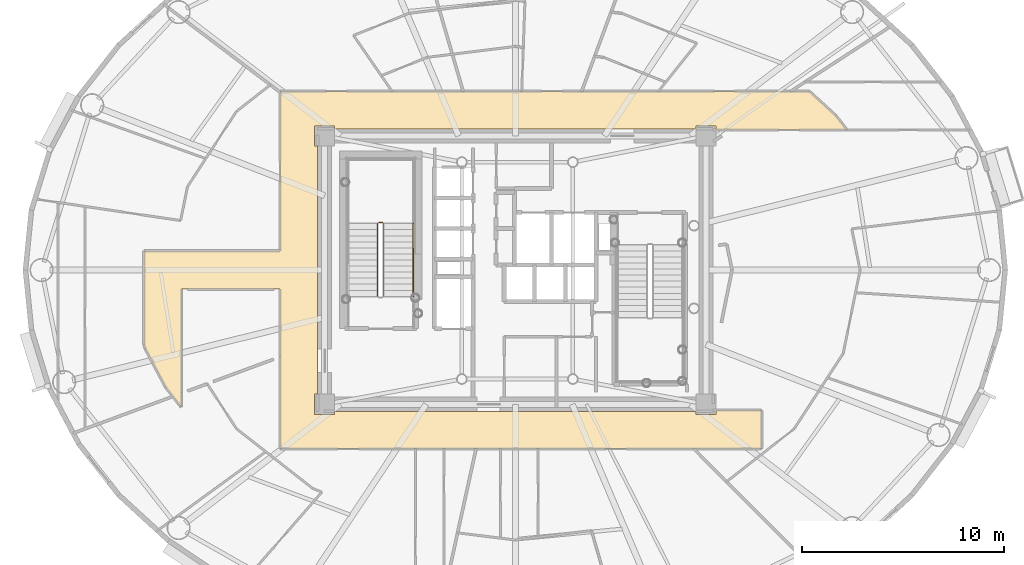
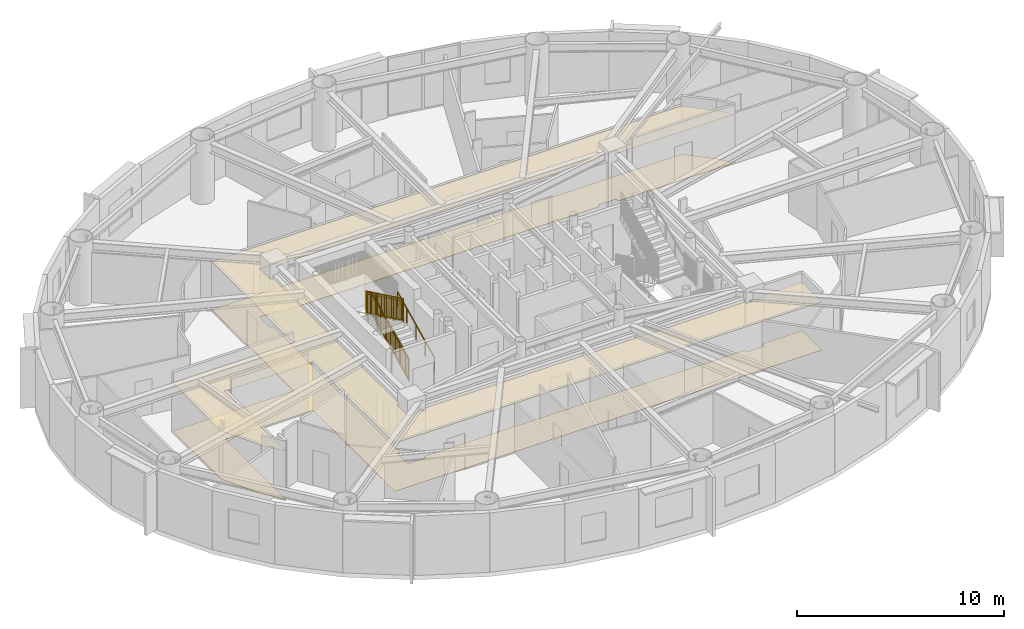
# One storey, part 15 of 20: 4 railings, 2 coverings.
"""IFC4 building model written with IfcOpenShell, lengths in metres."""

from ifc_helpers import new_model, si_unit, direction, frame, origin, origin_2d, place, context, subcontext, project, spatial, polyline, rectangle, outline, extrude, source, transform, mapped, material, layer, layer_set, type_object, element, save


model = new_model("IFC4")

# Units and contexts
model_context = context("Model", 3, precision=1e-05, world=origin(), true_north=direction((0.0, 1.0)))
body_context = subcontext(model_context, "Body", "Model", "MODEL_VIEW")
ifc_project = project(units=[si_unit("LENGTHUNIT", "METRE"), si_unit("AREAUNIT", "SQUARE_METRE"), si_unit("VOLUMEUNIT", "CUBIC_METRE"), si_unit("PLANEANGLEUNIT", "RADIAN"), si_unit("MASSUNIT", "GRAM", prefix="KILO")], contexts=[model_context])

# Site, building, storey
site_placement = place(None, origin())
site = spatial("IfcSite", under=ifc_project, at=site_placement, CompositionType="ELEMENT")
building_placement = place(site_placement, origin())
building = spatial("IfcBuilding", under=site, at=building_placement, Name="Linh Dai School and Residence Tower", CompositionType="ELEMENT")
storey_placement = place(building_placement, frame((0.0, 0.0, 221.550048828125)))
storey = spatial("IfcBuildingStorey", under=building, at=storey_placement, Name="L54", CompositionType="ELEMENT", Elevation=221.550048828125)

# Coverings
ifc_material_1 = material(Name="Mineral Fibre Acoustic Suspended Ceiling", Category="masonry")
ifc_layer_1 = layer(ifc_material_1, 0.02001953125)
ifc_layer_set_1 = layer_set([ifc_layer_1], Name="Mineral Fibre Acoustic Suspended Ceiling")
covering_type_1 = type_object("IfcCoveringType", Name="COV-CEIL-AC-20", PredefinedType="CEILING", material=ifc_layer_set_1)
covering_1_placement = place(storey_placement, frame((0.0, 0.0, 2.849853515625)))
element("IfcCovering", 1, at=covering_1_placement, inside=storey, type_object=covering_type_1, Name="L54 Residential Floor Corridor Suspended Ceiling", PredefinedType="CEILING", context=body_context, shape_type="SweptSolid", body=[
    extrude(outline(polyline([(19.449951171875, 20.211181640625), (18.6806640625, 21.1943359375), (17.66650390625, 23.111083984375), (17.60009765625, 23.327880859375), (17.60009765625, 27.949951171875), (24.35009765625, 27.949951171875), (24.35009765625, 35.85009765625), (50.56787109375, 35.85009765625), (51.873779296875, 34.65283203125), (52.423828125, 33.949951171875), (45.949951171875, 33.949951171875), (45.949951171875, 34.14990234375), (44.949951171875, 34.14990234375), (44.949951171875, 34.0), (27.050048828125, 34.0), (27.050048828125, 34.14990234375), (26.050048828125, 34.14990234375), (26.050048828125, 33.14990234375), (26.199951171875, 33.14990234375), (26.199951171875, 20.85009765625), (26.050048828125, 20.85009765625), (26.050048828125, 19.85009765625), (27.050048828125, 19.85009765625), (27.050048828125, 20.0), (44.949951171875, 20.0), (44.949951171875, 19.85009765625), (45.949951171875, 19.85009765625), (45.949951171875, 20.050048828125), (48.199951171875, 20.050048828125), (48.199951171875, 18.14990234375), (24.35009765625, 18.14990234375), (24.35009765625, 26.050048828125), (19.449951171875, 26.050048828125), (19.449951171875, 20.211181640625)])), origin(), (0.0, 0.0, 1.0), 0.02001953125),
])
ifc_material_2 = material(Name="Polished Terrazzo Floor Finish", Category="masonry")
ifc_layer_2 = layer(ifc_material_2, 0.02490234375)
ifc_layer_set_2 = layer_set([ifc_layer_2], Name="Polished Terrazzo Floor Finish")
covering_type_2 = type_object("IfcCoveringType", Name="COV-FLR-TRZ-25", PredefinedType="FLOORING", material=ifc_layer_set_2)
covering_2_placement = place(storey_placement, origin())
element("IfcCovering", 2, at=covering_2_placement, inside=storey, type_object=covering_type_2, Name="L54 Residential Floor Corridor Floor Finish", PredefinedType="FLOORING", context=body_context, shape_type="SweptSolid", body=[
    extrude(outline(polyline([(19.449951171875, 20.211181640625), (18.6806640625, 21.1943359375), (17.66650390625, 23.111083984375), (17.60009765625, 23.327880859375), (17.60009765625, 27.949951171875), (24.35009765625, 27.949951171875), (24.35009765625, 35.85009765625), (50.56787109375, 35.85009765625), (51.873779296875, 34.65283203125), (52.423828125, 33.949951171875), (45.949951171875, 33.949951171875), (45.949951171875, 34.14990234375), (44.949951171875, 34.14990234375), (44.949951171875, 34.0), (27.050048828125, 34.0), (27.050048828125, 34.14990234375), (26.050048828125, 34.14990234375), (26.050048828125, 33.14990234375), (26.199951171875, 33.14990234375), (26.199951171875, 20.85009765625), (26.050048828125, 20.85009765625), (26.050048828125, 19.85009765625), (27.050048828125, 19.85009765625), (27.050048828125, 20.0), (44.949951171875, 20.0), (44.949951171875, 19.85009765625), (45.949951171875, 19.85009765625), (45.949951171875, 20.050048828125), (48.199951171875, 20.050048828125), (48.199951171875, 18.14990234375), (24.35009765625, 18.14990234375), (24.35009765625, 26.050048828125), (19.449951171875, 26.050048828125), (19.449951171875, 20.211181640625)])), origin(), (0.0, 0.0, 1.0), 0.02001953125),
])

# Railings
ifc_material_3 = material(Name="Structural Steel S355JR", Category="steel")
railing_type_1 = type_object("IfcRailingType", Name="RL-ST-GUARD-1400", PredefinedType="GUARDRAIL", material=ifc_material_3)
shared_shape_1 = source(origin(), body_context, "Body", "SweptSolid", [
    extrude(rectangle(XDim=0.048095703125, YDim=0.048095703125, at=origin_2d()), frame((0.0, 0.0, 1.3759765625), z_axis=(-1.0, 0.0, 0.0), x_axis=(0.0, -1.0, 0.0)), (0.0, 0.0, 1.0), 0.199951171875),
    extrude(rectangle(XDim=0.048095703125, YDim=0.048095703125, at=origin_2d()), frame((0.0, 0.0, 0.10009765625), z_axis=(-1.0, 0.0, 0.0), x_axis=(0.0, -1.0, 0.0)), (0.0, 0.0, 1.0), 0.199951171875),
    extrude(rectangle(XDim=0.030029296875, YDim=0.030029296875, at=origin_2d()), frame((0.0, 0.0, 1.239990234375), z_axis=(-1.0, 0.0, 0.0), x_axis=(0.0, -1.0, 0.0)), (0.0, 0.0, 1.0), 0.199951171875),
    extrude(rectangle(XDim=0.0419921875, YDim=0.0419921875, at=origin_2d()), origin(), (0.0, 0.0, 1.0), 1.3759765625),
    extrude(rectangle(XDim=0.0419921875, YDim=0.0419921875, at=origin_2d()), frame((-0.199951171875, 0.0, 0.0)), (0.0, 0.0, 1.0), 1.3759765625),
])
railing_1_placement = place(storey_placement, frame((29.429931640625, 29.35009765625, 1.875)))
element("IfcRailing", 3, at=railing_1_placement, inside=storey, type_object=railing_type_1, Name="L54 ST1 stair guard 2", PredefinedType="GUARDRAIL", context=body_context, shape_type="MappedRepresentation", body=[
    mapped(shared_shape_1, transform((0.0, 0.0, 0.0), x_axis=(1.0, 0.0, 0.0), y_axis=(0.0, 1.0, 0.0), z_axis=(0.0, 0.0, 1.0), scale=1.0)),
])
shared_shape_2 = source(origin(), body_context, "Body", "SweptSolid", [
    extrude(rectangle(XDim=0.048095703125, YDim=0.048095703125, at=origin_2d()), frame((0.0, 0.0, 1.3759765625), z_axis=(0.0, 0.901262522062, 0.433273431364), x_axis=(-1.0, 0.0, 0.0)), (0.0, 0.0, 1.0), 3.994384765625),
    extrude(rectangle(XDim=0.048095703125, YDim=0.048095703125, at=origin_2d()), frame((0.0, 0.0, 0.10009765625), z_axis=(0.0, 0.901262522062, 0.433273431364), x_axis=(-1.0, 0.0, 0.0)), (0.0, 0.0, 1.0), 3.994384765625),
    extrude(rectangle(XDim=0.030029296875, YDim=0.030029296875, at=origin_2d()), frame((0.0, 0.0, 1.239990234375), z_axis=(0.0, 0.901262522062, 0.433273431364), x_axis=(-1.0, 0.0, 0.0)), (0.0, 0.0, 1.0), 3.994384765625),
    extrude(rectangle(XDim=0.02001953125, YDim=0.02001953125, at=origin_2d()), frame((0.0, 0.087890625, 0.142333984375)), (0.0, 0.0, 1.0), 1.251708984375),
    extrude(rectangle(XDim=0.02001953125, YDim=0.02001953125, at=origin_2d()), frame((0.0, 0.175537109375, 0.1845703125)), (0.0, 0.0, 1.0), 1.251708984375),
    extrude(rectangle(XDim=0.02001953125, YDim=0.02001953125, at=origin_2d()), frame((0.0, 0.263427734375, 0.226806640625)), (0.0, 0.0, 1.0), 1.251708984375),
    extrude(rectangle(XDim=0.02001953125, YDim=0.02001953125, at=origin_2d()), frame((0.0, 0.351318359375, 0.26904296875)), (0.0, 0.0, 1.0), 1.251708984375),
    extrude(rectangle(XDim=0.02001953125, YDim=0.02001953125, at=origin_2d()), frame((0.0, 0.43896484375, 0.311279296875)), (0.0, 0.0, 1.0), 1.251708984375),
    extrude(rectangle(XDim=0.02001953125, YDim=0.02001953125, at=origin_2d()), frame((0.0, 0.52685546875, 0.353271484375)), (0.0, 0.0, 1.0), 1.251708984375),
    extrude(rectangle(XDim=0.02001953125, YDim=0.02001953125, at=origin_2d()), frame((0.0, 0.61474609375, 0.3955078125)), (0.0, 0.0, 1.0), 1.251708984375),
    extrude(rectangle(XDim=0.02001953125, YDim=0.02001953125, at=origin_2d()), frame((0.0, 0.702392578125, 0.437744140625)), (0.0, 0.0, 1.0), 1.251708984375),
    extrude(rectangle(XDim=0.02001953125, YDim=0.02001953125, at=origin_2d()), frame((0.0, 0.790283203125, 0.47998046875)), (0.0, 0.0, 1.0), 1.251708984375),
    extrude(rectangle(XDim=0.02001953125, YDim=0.02001953125, at=origin_2d()), frame((0.0, 0.9658203125, 0.564453125)), (0.0, 0.0, 1.0), 1.251708984375),
    extrude(rectangle(XDim=0.02001953125, YDim=0.02001953125, at=origin_2d()), frame((0.0, 1.0537109375, 0.606689453125)), (0.0, 0.0, 1.0), 1.251708984375),
    extrude(rectangle(XDim=0.02001953125, YDim=0.02001953125, at=origin_2d()), frame((0.0, 1.1416015625, 0.64892578125)), (0.0, 0.0, 1.0), 1.251708984375),
    extrude(rectangle(XDim=0.02001953125, YDim=0.02001953125, at=origin_2d()), frame((0.0, 1.229248046875, 0.691162109375)), (0.0, 0.0, 1.0), 1.251708984375),
    extrude(rectangle(XDim=0.02001953125, YDim=0.02001953125, at=origin_2d()), frame((0.0, 1.317138671875, 0.7333984375)), (0.0, 0.0, 1.0), 1.251708984375),
    extrude(rectangle(XDim=0.02001953125, YDim=0.02001953125, at=origin_2d()), frame((0.0, 1.405029296875, 0.775390625)), (0.0, 0.0, 1.0), 1.251708984375),
    extrude(rectangle(XDim=0.02001953125, YDim=0.02001953125, at=origin_2d()), frame((0.0, 1.49267578125, 0.817626953125)), (0.0, 0.0, 1.0), 1.251708984375),
    extrude(rectangle(XDim=0.02001953125, YDim=0.02001953125, at=origin_2d()), frame((0.0, 1.58056640625, 0.85986328125)), (0.0, 0.0, 1.0), 1.251708984375),
    extrude(rectangle(XDim=0.02001953125, YDim=0.02001953125, at=origin_2d()), frame((0.0, 1.66845703125, 0.902099609375)), (0.0, 0.0, 1.0), 1.251708984375),
    extrude(rectangle(XDim=0.02001953125, YDim=0.02001953125, at=origin_2d()), frame((0.0, 1.756103515625, 0.9443359375)), (0.0, 0.0, 1.0), 1.251708984375),
    extrude(rectangle(XDim=0.02001953125, YDim=0.02001953125, at=origin_2d()), frame((0.0, 1.843994140625, 0.986572265625)), (0.0, 0.0, 1.0), 1.251708984375),
    extrude(rectangle(XDim=0.02001953125, YDim=0.02001953125, at=origin_2d()), frame((0.0, 1.931640625, 1.02880859375)), (0.0, 0.0, 1.0), 1.251708984375),
    extrude(rectangle(XDim=0.02001953125, YDim=0.02001953125, at=origin_2d()), frame((0.0, 2.01953125, 1.071044921875)), (0.0, 0.0, 1.0), 1.251708984375),
    extrude(rectangle(XDim=0.02001953125, YDim=0.02001953125, at=origin_2d()), frame((0.0, 2.107421875, 1.11328125)), (0.0, 0.0, 1.0), 1.251708984375),
    extrude(rectangle(XDim=0.02001953125, YDim=0.02001953125, at=origin_2d()), frame((0.0, 2.195068359375, 1.155517578125)), (0.0, 0.0, 1.0), 1.251708984375),
    extrude(rectangle(XDim=0.02001953125, YDim=0.02001953125, at=origin_2d()), frame((0.0, 2.282958984375, 1.197509765625)), (0.0, 0.0, 1.0), 1.251708984375),
    extrude(rectangle(XDim=0.02001953125, YDim=0.02001953125, at=origin_2d()), frame((0.0, 2.370849609375, 1.23974609375)), (0.0, 0.0, 1.0), 1.251708984375),
    extrude(rectangle(XDim=0.02001953125, YDim=0.02001953125, at=origin_2d()), frame((0.0, 2.45849609375, 1.281982421875)), (0.0, 0.0, 1.0), 1.251708984375),
    extrude(rectangle(XDim=0.02001953125, YDim=0.02001953125, at=origin_2d()), frame((0.0, 2.54638671875, 1.32421875)), (0.0, 0.0, 1.0), 1.251708984375),
    extrude(rectangle(XDim=0.02001953125, YDim=0.02001953125, at=origin_2d()), frame((0.0, 2.63427734375, 1.366455078125)), (0.0, 0.0, 1.0), 1.251708984375),
    extrude(rectangle(XDim=0.02001953125, YDim=0.02001953125, at=origin_2d()), frame((0.0, 2.809814453125, 1.450927734375)), (0.0, 0.0, 1.0), 1.251708984375),
    extrude(rectangle(XDim=0.02001953125, YDim=0.02001953125, at=origin_2d()), frame((0.0, 2.897705078125, 1.4931640625)), (0.0, 0.0, 1.0), 1.251708984375),
    extrude(rectangle(XDim=0.02001953125, YDim=0.02001953125, at=origin_2d()), frame((0.0, 2.9853515625, 1.535400390625)), (0.0, 0.0, 1.0), 1.251708984375),
    extrude(rectangle(XDim=0.02001953125, YDim=0.02001953125, at=origin_2d()), frame((0.0, 3.0732421875, 1.57763671875)), (0.0, 0.0, 1.0), 1.251708984375),
    extrude(rectangle(XDim=0.02001953125, YDim=0.02001953125, at=origin_2d()), frame((0.0, 3.1611328125, 1.61962890625)), (0.0, 0.0, 1.0), 1.251708984375),
    extrude(rectangle(XDim=0.02001953125, YDim=0.02001953125, at=origin_2d()), frame((0.0, 3.248779296875, 1.661865234375)), (0.0, 0.0, 1.0), 1.251708984375),
    extrude(rectangle(XDim=0.02001953125, YDim=0.02001953125, at=origin_2d()), frame((0.0, 3.336669921875, 1.7041015625)), (0.0, 0.0, 1.0), 1.251708984375),
    extrude(rectangle(XDim=0.02001953125, YDim=0.02001953125, at=origin_2d()), frame((0.0, 3.424560546875, 1.746337890625)), (0.0, 0.0, 1.0), 1.251708984375),
    extrude(rectangle(XDim=0.02001953125, YDim=0.02001953125, at=origin_2d()), frame((0.0, 3.51220703125, 1.78857421875)), (0.0, 0.0, 1.0), 1.251708984375),
    extrude(rectangle(XDim=0.0419921875, YDim=0.0419921875, at=origin_2d()), origin(), (0.0, 0.0, 1.0), 1.3759765625),
    extrude(rectangle(XDim=0.0419921875, YDim=0.0419921875, at=origin_2d()), frame((0.0, 0.89990234375, 0.4326171875)), (0.0, 0.0, 1.0), 1.3759765625),
    extrude(rectangle(XDim=0.0419921875, YDim=0.0419921875, at=origin_2d()), frame((0.0, 1.800048828125, 0.865234375)), (0.0, 0.0, 1.0), 1.3759765625),
    extrude(rectangle(XDim=0.0419921875, YDim=0.0419921875, at=origin_2d()), frame((0.0, 2.7001953125, 1.298095703125)), (0.0, 0.0, 1.0), 1.3759765625),
    extrude(rectangle(XDim=0.0419921875, YDim=0.0419921875, at=origin_2d()), frame((0.0, 3.60009765625, 1.730712890625)), (0.0, 0.0, 1.0), 1.3759765625),
])
railing_2_placement = place(storey_placement, frame((29.47998046875, 25.699951171875, 0.144287109375)))
element("IfcRailing", 4, at=railing_2_placement, inside=storey, type_object=railing_type_1, Name="L54 ST1 stair guard 1", PredefinedType="GUARDRAIL", context=body_context, shape_type="MappedRepresentation", body=[
    mapped(shared_shape_2, transform((0.0, 0.0, 0.0), x_axis=(1.0, 0.0, 0.0), y_axis=(0.0, 1.0, 0.0), z_axis=(0.0, 0.0, 1.0), scale=1.0)),
])
shared_shape_3 = source(origin(), body_context, "Body", "SweptSolid", [
    extrude(rectangle(XDim=0.048095703125, YDim=0.048095703125, at=origin_2d()), frame((0.0, 0.0, 1.3759765625), z_axis=(0.0, -0.901262522062, 0.433273431364), x_axis=(1.0, 0.0, 0.0)), (0.0, 0.0, 1.0), 3.994384765625),
    extrude(rectangle(XDim=0.048095703125, YDim=0.048095703125, at=origin_2d()), frame((0.0, 0.0, 0.10009765625), z_axis=(0.0, -0.901262522062, 0.433273431364), x_axis=(1.0, 0.0, 0.0)), (0.0, 0.0, 1.0), 3.994384765625),
    extrude(rectangle(XDim=0.030029296875, YDim=0.030029296875, at=origin_2d()), frame((0.0, 0.0, 1.239990234375), z_axis=(0.0, -0.901262522062, 0.433273431364), x_axis=(1.0, 0.0, 0.0)), (0.0, 0.0, 1.0), 3.994384765625),
    extrude(rectangle(XDim=0.02001953125, YDim=0.02001953125, at=origin_2d()), frame((0.0, -0.087890625, 0.142333984375)), (0.0, 0.0, 1.0), 1.251708984375),
    extrude(rectangle(XDim=0.02001953125, YDim=0.02001953125, at=origin_2d()), frame((0.0, -0.175537109375, 0.1845703125)), (0.0, 0.0, 1.0), 1.251708984375),
    extrude(rectangle(XDim=0.02001953125, YDim=0.02001953125, at=origin_2d()), frame((0.0, -0.263427734375, 0.226806640625)), (0.0, 0.0, 1.0), 1.251708984375),
    extrude(rectangle(XDim=0.02001953125, YDim=0.02001953125, at=origin_2d()), frame((0.0, -0.351318359375, 0.26904296875)), (0.0, 0.0, 1.0), 1.251708984375),
    extrude(rectangle(XDim=0.02001953125, YDim=0.02001953125, at=origin_2d()), frame((0.0, -0.43896484375, 0.311279296875)), (0.0, 0.0, 1.0), 1.251708984375),
    extrude(rectangle(XDim=0.02001953125, YDim=0.02001953125, at=origin_2d()), frame((0.0, -0.52685546875, 0.353271484375)), (0.0, 0.0, 1.0), 1.251708984375),
    extrude(rectangle(XDim=0.02001953125, YDim=0.02001953125, at=origin_2d()), frame((0.0, -0.61474609375, 0.3955078125)), (0.0, 0.0, 1.0), 1.251708984375),
    extrude(rectangle(XDim=0.02001953125, YDim=0.02001953125, at=origin_2d()), frame((0.0, -0.702392578125, 0.437744140625)), (0.0, 0.0, 1.0), 1.251708984375),
    extrude(rectangle(XDim=0.02001953125, YDim=0.02001953125, at=origin_2d()), frame((0.0, -0.790283203125, 0.47998046875)), (0.0, 0.0, 1.0), 1.251708984375),
    extrude(rectangle(XDim=0.02001953125, YDim=0.02001953125, at=origin_2d()), frame((0.0, -0.9658203125, 0.564453125)), (0.0, 0.0, 1.0), 1.251708984375),
    extrude(rectangle(XDim=0.02001953125, YDim=0.02001953125, at=origin_2d()), frame((0.0, -1.0537109375, 0.606689453125)), (0.0, 0.0, 1.0), 1.251708984375),
    extrude(rectangle(XDim=0.02001953125, YDim=0.02001953125, at=origin_2d()), frame((0.0, -1.1416015625, 0.64892578125)), (0.0, 0.0, 1.0), 1.251708984375),
    extrude(rectangle(XDim=0.02001953125, YDim=0.02001953125, at=origin_2d()), frame((0.0, -1.229248046875, 0.691162109375)), (0.0, 0.0, 1.0), 1.251708984375),
    extrude(rectangle(XDim=0.02001953125, YDim=0.02001953125, at=origin_2d()), frame((0.0, -1.317138671875, 0.7333984375)), (0.0, 0.0, 1.0), 1.251708984375),
    extrude(rectangle(XDim=0.02001953125, YDim=0.02001953125, at=origin_2d()), frame((0.0, -1.405029296875, 0.775390625)), (0.0, 0.0, 1.0), 1.251708984375),
    extrude(rectangle(XDim=0.02001953125, YDim=0.02001953125, at=origin_2d()), frame((0.0, -1.49267578125, 0.817626953125)), (0.0, 0.0, 1.0), 1.251708984375),
    extrude(rectangle(XDim=0.02001953125, YDim=0.02001953125, at=origin_2d()), frame((0.0, -1.58056640625, 0.85986328125)), (0.0, 0.0, 1.0), 1.251708984375),
    extrude(rectangle(XDim=0.02001953125, YDim=0.02001953125, at=origin_2d()), frame((0.0, -1.66845703125, 0.902099609375)), (0.0, 0.0, 1.0), 1.251708984375),
    extrude(rectangle(XDim=0.02001953125, YDim=0.02001953125, at=origin_2d()), frame((0.0, -1.756103515625, 0.9443359375)), (0.0, 0.0, 1.0), 1.251708984375),
    extrude(rectangle(XDim=0.02001953125, YDim=0.02001953125, at=origin_2d()), frame((0.0, -1.843994140625, 0.986572265625)), (0.0, 0.0, 1.0), 1.251708984375),
    extrude(rectangle(XDim=0.02001953125, YDim=0.02001953125, at=origin_2d()), frame((0.0, -1.931640625, 1.02880859375)), (0.0, 0.0, 1.0), 1.251708984375),
    extrude(rectangle(XDim=0.02001953125, YDim=0.02001953125, at=origin_2d()), frame((0.0, -2.01953125, 1.071044921875)), (0.0, 0.0, 1.0), 1.251708984375),
    extrude(rectangle(XDim=0.02001953125, YDim=0.02001953125, at=origin_2d()), frame((0.0, -2.107421875, 1.11328125)), (0.0, 0.0, 1.0), 1.251708984375),
    extrude(rectangle(XDim=0.02001953125, YDim=0.02001953125, at=origin_2d()), frame((0.0, -2.195068359375, 1.155517578125)), (0.0, 0.0, 1.0), 1.251708984375),
    extrude(rectangle(XDim=0.02001953125, YDim=0.02001953125, at=origin_2d()), frame((0.0, -2.282958984375, 1.197509765625)), (0.0, 0.0, 1.0), 1.251708984375),
    extrude(rectangle(XDim=0.02001953125, YDim=0.02001953125, at=origin_2d()), frame((0.0, -2.370849609375, 1.23974609375)), (0.0, 0.0, 1.0), 1.251708984375),
    extrude(rectangle(XDim=0.02001953125, YDim=0.02001953125, at=origin_2d()), frame((0.0, -2.45849609375, 1.281982421875)), (0.0, 0.0, 1.0), 1.251708984375),
    extrude(rectangle(XDim=0.02001953125, YDim=0.02001953125, at=origin_2d()), frame((0.0, -2.54638671875, 1.32421875)), (0.0, 0.0, 1.0), 1.251708984375),
    extrude(rectangle(XDim=0.02001953125, YDim=0.02001953125, at=origin_2d()), frame((0.0, -2.63427734375, 1.366455078125)), (0.0, 0.0, 1.0), 1.251708984375),
    extrude(rectangle(XDim=0.02001953125, YDim=0.02001953125, at=origin_2d()), frame((0.0, -2.809814453125, 1.450927734375)), (0.0, 0.0, 1.0), 1.251708984375),
    extrude(rectangle(XDim=0.02001953125, YDim=0.02001953125, at=origin_2d()), frame((0.0, -2.897705078125, 1.4931640625)), (0.0, 0.0, 1.0), 1.251708984375),
    extrude(rectangle(XDim=0.02001953125, YDim=0.02001953125, at=origin_2d()), frame((0.0, -2.9853515625, 1.535400390625)), (0.0, 0.0, 1.0), 1.251708984375),
    extrude(rectangle(XDim=0.02001953125, YDim=0.02001953125, at=origin_2d()), frame((0.0, -3.0732421875, 1.57763671875)), (0.0, 0.0, 1.0), 1.251708984375),
    extrude(rectangle(XDim=0.02001953125, YDim=0.02001953125, at=origin_2d()), frame((0.0, -3.1611328125, 1.61962890625)), (0.0, 0.0, 1.0), 1.251708984375),
    extrude(rectangle(XDim=0.02001953125, YDim=0.02001953125, at=origin_2d()), frame((0.0, -3.248779296875, 1.661865234375)), (0.0, 0.0, 1.0), 1.251708984375),
    extrude(rectangle(XDim=0.02001953125, YDim=0.02001953125, at=origin_2d()), frame((0.0, -3.336669921875, 1.7041015625)), (0.0, 0.0, 1.0), 1.251708984375),
    extrude(rectangle(XDim=0.02001953125, YDim=0.02001953125, at=origin_2d()), frame((0.0, -3.424560546875, 1.746337890625)), (0.0, 0.0, 1.0), 1.251708984375),
    extrude(rectangle(XDim=0.02001953125, YDim=0.02001953125, at=origin_2d()), frame((0.0, -3.51220703125, 1.78857421875)), (0.0, 0.0, 1.0), 1.251708984375),
    extrude(rectangle(XDim=0.0419921875, YDim=0.0419921875, at=origin_2d()), origin(), (0.0, 0.0, 1.0), 1.3759765625),
    extrude(rectangle(XDim=0.0419921875, YDim=0.0419921875, at=origin_2d()), frame((0.0, -0.89990234375, 0.4326171875)), (0.0, 0.0, 1.0), 1.3759765625),
    extrude(rectangle(XDim=0.0419921875, YDim=0.0419921875, at=origin_2d()), frame((0.0, -1.800048828125, 0.865234375)), (0.0, 0.0, 1.0), 1.3759765625),
    extrude(rectangle(XDim=0.0419921875, YDim=0.0419921875, at=origin_2d()), frame((0.0, -2.7001953125, 1.298095703125)), (0.0, 0.0, 1.0), 1.3759765625),
    extrude(rectangle(XDim=0.0419921875, YDim=0.0419921875, at=origin_2d()), frame((0.0, -3.60009765625, 1.730712890625)), (0.0, 0.0, 1.0), 1.3759765625),
])
railing_3_placement = place(storey_placement, frame((29.179931640625, 29.300048828125, 2.019287109375)))
element("IfcRailing", 5, at=railing_3_placement, inside=storey, type_object=railing_type_1, Name="L54 ST1 stair guard 6", PredefinedType="GUARDRAIL", context=body_context, shape_type="MappedRepresentation", body=[
    mapped(shared_shape_3, transform((0.0, 0.0, 0.0), x_axis=(1.0, 0.0, 0.0), y_axis=(0.0, 1.0, 0.0), z_axis=(0.0, 0.0, 1.0), scale=1.0)),
])
ifc_material_4 = material(Name="Brushed Stainless Steel Handrail", Category="steel")
railing_type_2 = type_object("IfcRailingType", Name="RL-ST-HANDRAIL-900", PredefinedType="HANDRAIL", material=ifc_material_4)
shared_shape_4 = source(origin(), body_context, "Body", "SweptSolid", [
    extrude(rectangle(XDim=0.048095703125, YDim=0.048095703125, at=origin_2d()), frame((0.0, 0.0, 0.8759765625), z_axis=(0.0, 0.901262522062, 0.433273431364), x_axis=(-1.0, 0.0, 0.0)), (0.0, 0.0, 1.0), 3.994384765625),
    extrude(rectangle(XDim=0.0419921875, YDim=0.0419921875, at=origin_2d()), origin(), (0.0, 0.0, 1.0), 0.8759765625),
    extrude(rectangle(XDim=0.0419921875, YDim=0.0419921875, at=origin_2d()), frame((0.0, 0.89990234375, 0.4326171875)), (0.0, 0.0, 1.0), 0.8759765625),
    extrude(rectangle(XDim=0.0419921875, YDim=0.0419921875, at=origin_2d()), frame((0.0, 1.800048828125, 0.865234375)), (0.0, 0.0, 1.0), 0.8759765625),
    extrude(rectangle(XDim=0.0419921875, YDim=0.0419921875, at=origin_2d()), frame((0.0, 2.7001953125, 1.298095703125)), (0.0, 0.0, 1.0), 0.8759765625),
    extrude(rectangle(XDim=0.0419921875, YDim=0.0419921875, at=origin_2d()), frame((0.0, 3.60009765625, 1.730712890625)), (0.0, 0.0, 1.0), 0.8759765625),
])
railing_4_placement = place(storey_placement, frame((30.929931640625, 25.699951171875, 0.144287109375)))
element("IfcRailing", 6, at=railing_4_placement, inside=storey, type_object=railing_type_2, Name="L54 ST1 stair handrail 1", PredefinedType="HANDRAIL", context=body_context, shape_type="MappedRepresentation", body=[
    mapped(shared_shape_4, transform((0.0, 0.0, 0.0), x_axis=(1.0, 0.0, 0.0), y_axis=(0.0, 1.0, 0.0), z_axis=(0.0, 0.0, 1.0), scale=1.0)),
])

save(model, "model.ifc")
